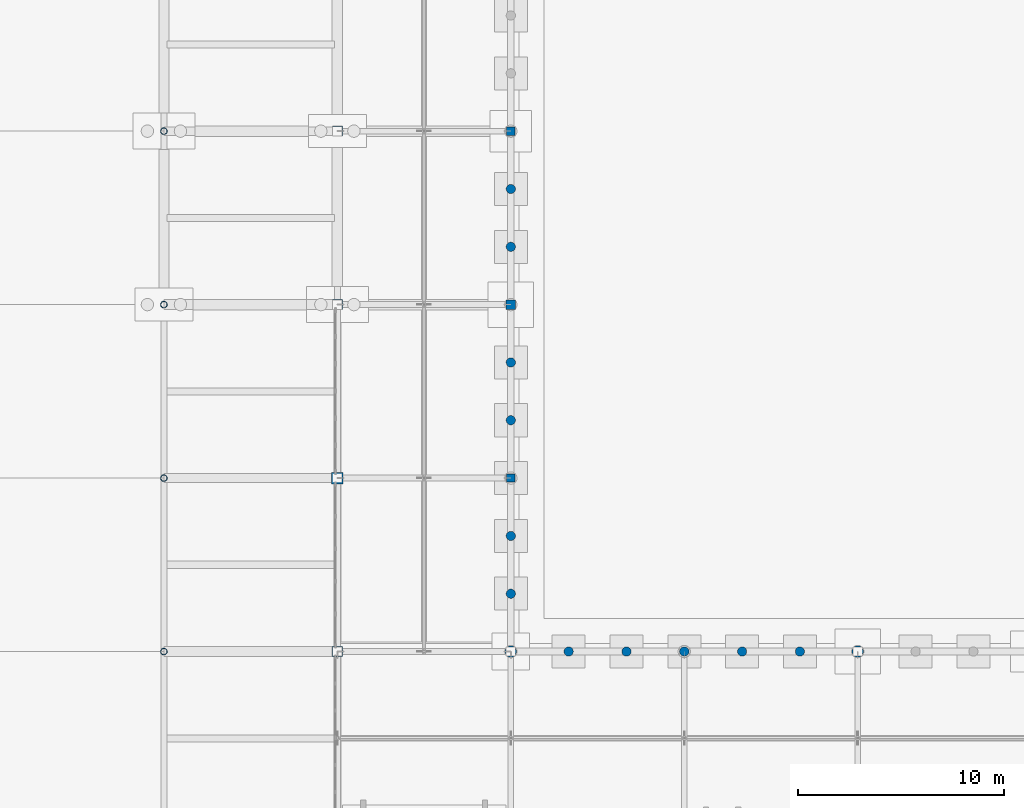
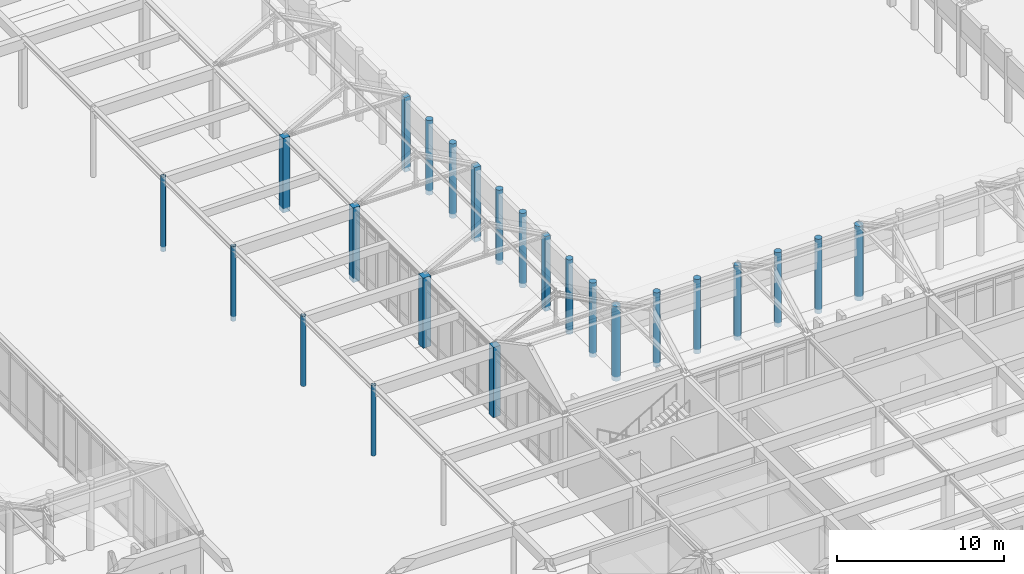
# One storey, part 14 of 143: 24 columns.
"""IFC4 building model written with IfcOpenShell, lengths in metres."""

from ifc_helpers import new_model, si_unit, direction, frame, origin, origin_2d, place, context, subcontext, project, spatial, rectangle, circle, hollow_circle, extrude, material, material_profile, profile_set, type_object, element, save


model = new_model("IFC4")

# Units and contexts
model_context = context("Model", 3, precision=1e-05, world=origin(), true_north=direction((0.0, 1.0)))
body_context = subcontext(model_context, "Body", "Model", "MODEL_VIEW")
ifc_project = project(units=[si_unit("LENGTHUNIT", "METRE"), si_unit("AREAUNIT", "SQUARE_METRE"), si_unit("VOLUMEUNIT", "CUBIC_METRE"), si_unit("PLANEANGLEUNIT", "RADIAN"), si_unit("MASSUNIT", "GRAM", prefix="KILO")], contexts=[model_context])

# Site, building, storey
site_placement = place(None, origin())
site = spatial("IfcSite", under=ifc_project, at=site_placement, CompositionType="ELEMENT")
building_placement = place(site_placement, origin())
building = spatial("IfcBuilding", under=site, at=building_placement, Name="Kveldsbrygga Polytechnic", CompositionType="ELEMENT")
storey_placement = place(building_placement, origin())
storey = spatial("IfcBuildingStorey", under=building, at=storey_placement, Name="L00", CompositionType="ELEMENT", Elevation=0.0)

# Columns
ifc_material_1 = material(Name="Concrete C45/55", Category="concrete")
ifc_material_profile_1 = material_profile(ifc_material_1, circle(Radius=0.22509765625, at=origin_2d()), Name="RC D450")
ifc_profile_set_1 = profile_set([ifc_material_profile_1], Name="Concrete C45/55")
column_type_1 = type_object("IfcColumnType", Name="COL-ARC-D450", PredefinedType="COLUMN", material=ifc_profile_set_1)
for number, where, z_axis, x_axis, name in (
    (1, (92.39990234375, 33.60009765625, -0.320068359375), (0.0, 0.0, 1.0), (1.0, 0.0, 0.0), "Column COL-L00-11-04"),
    (2, (86.800048828125, 33.60009765625, -0.320068359375), (0.0, 0.0, 1.0), (1.0, 0.0, 0.0), "Cloister Arcade Pier COL-ARC-055"),
    (3, (89.60009765625, 33.60009765625, -0.320068359375), (0.0, 0.0, 1.0), (1.0, 0.0, 0.0), "Cloister Arcade Pier COL-ARC-056"),
    (4, (95.199951171875, 33.60009765625, -0.320068359375), (0.0, 0.0, 1.0), (1.0, 0.0, 0.0), "Cloister Arcade Pier COL-ARC-059"),
    (5, (98.0, 33.60009765625, -0.320068359375), (0.0, 0.0, 1.0), (1.0, 0.0, 0.0), "Cloister Arcade Pier COL-ARC-060"),
    (6, (84.0, 36.39990234375, -0.320068359375), (0.0, 0.0, 1.0), (1.0, 0.0, 0.0), "Cloister Arcade Pier COL-ARC-071"),
    (7, (84.0, 39.199951171875, -0.320068359375), (0.0, 0.0, 1.0), (1.0, 0.0, 0.0), "Cloister Arcade Pier COL-ARC-072"),
    (8, (84.0, 44.800048828125, -0.320068359375), (0.0, 0.0, 1.0), (1.0, 0.0, 0.0), "Cloister Arcade Pier COL-ARC-075"),
    (9, (84.0, 47.60009765625, -0.320068359375), (0.0, 0.0, 1.0), (1.0, 0.0, 0.0), "Cloister Arcade Pier COL-ARC-076"),
    (10, (84.0, 53.199951171875, -0.320068359375), (0.0, 0.0, 1.0), (1.0, 0.0, 0.0), "Cloister Arcade Pier COL-ARC-079"),
    (11, (84.0, 56.0, -0.320068359375), (0.0, 0.0, 1.0), (1.0, 0.0, 0.0), "Cloister Arcade Pier COL-ARC-080"),
):
    element("IfcColumn", number, at=place(storey_placement, frame(where, z_axis=z_axis, x_axis=x_axis)), inside=storey, type_object=column_type_1, Name=name, PredefinedType="COLUMN", context=body_context, shape_type="SweptSolid", body=[
        extrude(circle(Radius=0.22509765625, at=origin_2d()), origin(), (0.0, 0.0, 1.0), 5.4599609375),
    ])
ifc_material_profile_2 = material_profile(ifc_material_1, circle(Radius=0.27490234375, at=origin_2d()), Name="RC D550")
ifc_profile_set_2 = profile_set([ifc_material_profile_2], Name="Concrete C45/55")
column_type_2 = type_object("IfcColumnType", Name="COL-ARC-D550", PredefinedType="COLUMN", material=ifc_profile_set_2)
for number, where, z_axis, x_axis, name in (
    (12, (84.0, 33.60009765625, -0.320068359375), (0.0, 0.0, 1.0), (1.0, 0.0, 0.0), "Column COL-L00-10-04"),
    (13, (100.800048828125, 33.60009765625, -0.320068359375), (0.0, 0.0, 1.0), (1.0, 0.0, 0.0), "Column COL-L00-12-04"),
):
    element("IfcColumn", number, at=place(storey_placement, frame(where, z_axis=z_axis, x_axis=x_axis)), inside=storey, type_object=column_type_2, Name=name, PredefinedType="COLUMN", context=body_context, shape_type="SweptSolid", body=[
        extrude(circle(Radius=0.27490234375, at=origin_2d()), origin(), (0.0, 0.0, 1.0), 5.4599609375),
    ])
ifc_material_profile_3 = material_profile(ifc_material_1, rectangle(XDim=0.39990234375, YDim=0.39990234375, at=origin_2d()), Name="RC 400x400")
ifc_profile_set_3 = profile_set([ifc_material_profile_3], Name="Concrete C45/55")
column_type_3 = type_object("IfcColumnType", Name="COL-RC-400", PredefinedType="COLUMN", material=ifc_profile_set_3)
for number, where, z_axis, x_axis, name in (
    (14, (84.0, 42.0, -0.320068359375), (0.0, 0.0, 1.0), (1.0, 0.0, 0.0), "Column COL-L00-10-05"),
    (15, (84.0, 58.800048828125, -0.320068359375), (0.0, 0.0, 1.0), (1.0, 0.0, 0.0), "Column COL-L00-10-07"),
):
    element("IfcColumn", number, at=place(storey_placement, frame(where, z_axis=z_axis, x_axis=x_axis)), inside=storey, type_object=column_type_3, Name=name, PredefinedType="COLUMN", context=body_context, shape_type="SweptSolid", body=[
        extrude(rectangle(XDim=0.39990234375, YDim=0.39990234375, at=origin_2d()), origin(), (0.0, 0.0, 1.0), 5.4599609375),
    ])
ifc_material_profile_4 = material_profile(ifc_material_1, rectangle(XDim=0.449951171875, YDim=0.449951171875, at=origin_2d()), Name="RC 450x450")
ifc_profile_set_4 = profile_set([ifc_material_profile_4], Name="Concrete C45/55")
column_type_4 = type_object("IfcColumnType", Name="COL-RC-450", PredefinedType="COLUMN", material=ifc_profile_set_4)
column_1_placement = place(storey_placement, frame((84.0, 50.39990234375, -0.320068359375), z_axis=(0.0, 0.0, 1.0), x_axis=(1.0, 0.0, 0.0)))
element("IfcColumn", 16, at=column_1_placement, inside=storey, type_object=column_type_4, Name="Column COL-L00-10-06", PredefinedType="COLUMN", context=body_context, shape_type="SweptSolid", body=[
    extrude(rectangle(XDim=0.449951171875, YDim=0.449951171875, at=origin_2d()), origin(), (0.0, 0.0, 1.0), 5.4599609375),
])
ifc_material_profile_5 = material_profile(ifc_material_1, rectangle(XDim=0.47998046875, YDim=0.47998046875, at=origin_2d()), Name="RC 480x480")
ifc_profile_set_5 = profile_set([ifc_material_profile_5], Name="Concrete C45/55")
column_type_5 = type_object("IfcColumnType", Name="COL-RC-480", PredefinedType="COLUMN", material=ifc_profile_set_5)
for number, where, z_axis, x_axis, name in (
    (17, (75.60009765625, 50.39990234375, -0.320068359375), (0.0, 0.0, 1.0), (1.0, 0.0, 0.0), "Column COL-L00-09-06"),
    (18, (75.60009765625, 58.800048828125, -0.320068359375), (0.0, 0.0, 1.0), (1.0, 0.0, 0.0), "Column COL-L00-09-07"),
):
    element("IfcColumn", number, at=place(storey_placement, frame(where, z_axis=z_axis, x_axis=x_axis)), inside=storey, type_object=column_type_5, Name=name, PredefinedType="COLUMN", context=body_context, shape_type="SweptSolid", body=[
        extrude(rectangle(XDim=0.47998046875, YDim=0.47998046875, at=origin_2d()), origin(), (0.0, 0.0, 1.0), 5.4599609375),
    ])
ifc_material_profile_6 = material_profile(ifc_material_1, rectangle(XDim=0.5, YDim=0.5, at=origin_2d()), Name="RC 500x500")
ifc_profile_set_6 = profile_set([ifc_material_profile_6], Name="Concrete C45/55")
column_type_6 = type_object("IfcColumnType", Name="COL-RC-500", PredefinedType="COLUMN", material=ifc_profile_set_6)
column_2_placement = place(storey_placement, frame((75.60009765625, 33.60009765625, 0.0), z_axis=(0.0, 0.0, 1.0), x_axis=(1.0, 0.0, 0.0)))
element("IfcColumn", 19, at=column_2_placement, inside=storey, type_object=column_type_6, Name="Column COL-L00-09-04", PredefinedType="COLUMN", context=body_context, shape_type="SweptSolid", body=[
    extrude(rectangle(XDim=0.5, YDim=0.5, at=origin_2d()), origin(), (0.0, 0.0, 1.0), 5.139892578125),
])
ifc_material_profile_7 = material_profile(ifc_material_1, rectangle(XDim=0.550048828125, YDim=0.550048828125, at=origin_2d()), Name="RC 550x550")
ifc_profile_set_7 = profile_set([ifc_material_profile_7], Name="Concrete C45/55")
column_type_7 = type_object("IfcColumnType", Name="COL-RC-550", PredefinedType="COLUMN", material=ifc_profile_set_7)
column_3_placement = place(storey_placement, frame((75.60009765625, 42.0, 0.0), z_axis=(0.0, 0.0, 1.0), x_axis=(1.0, 0.0, 0.0)))
element("IfcColumn", 20, at=column_3_placement, inside=storey, type_object=column_type_7, Name="Column COL-L00-09-05", PredefinedType="COLUMN", context=body_context, shape_type="SweptSolid", body=[
    extrude(rectangle(XDim=0.550048828125, YDim=0.550048828125, at=origin_2d()), origin(), (0.0, 0.0, 1.0), 5.139892578125),
])
ifc_material_2 = material(Name="Steel S355", Category="steel")
ifc_material_profile_8 = material_profile(ifc_material_2, hollow_circle(Radius=0.161865234375, WallThickness=0.01611328125, at=origin_2d()), Name="CHS 323.9x16.0")
ifc_profile_set_8 = profile_set([ifc_material_profile_8], Name="Steel S355")
column_type_8 = type_object("IfcColumnType", Name="COL-STL-CHS324", PredefinedType="COLUMN", material=ifc_profile_set_8)
for number, where, z_axis, x_axis, name in (
    (21, (67.199951171875, 33.60009765625, 0.0), (0.0, 0.0, 1.0), (1.0, 0.0, 0.0), "Column COL-L00-08-04"),
    (22, (67.199951171875, 42.0, 0.0), (0.0, 0.0, 1.0), (1.0, 0.0, 0.0), "Column COL-L00-08-05"),
):
    element("IfcColumn", number, at=place(storey_placement, frame(where, z_axis=z_axis, x_axis=x_axis)), inside=storey, type_object=column_type_8, Name=name, PredefinedType="COLUMN", context=body_context, shape_type="SweptSolid", body=[
        extrude(hollow_circle(Radius=0.161865234375, WallThickness=0.01611328125, at=origin_2d()), origin(), (0.0, 0.0, 1.0), 5.139892578125),
    ])
for number, where, z_axis, x_axis, name in (
    (23, (67.199951171875, 50.39990234375, -0.320068359375), (0.0, 0.0, 1.0), (1.0, 0.0, 0.0), "Column COL-L00-08-06"),
    (24, (67.199951171875, 58.800048828125, -0.320068359375), (0.0, 0.0, 1.0), (1.0, 0.0, 0.0), "Column COL-L00-08-07"),
):
    element("IfcColumn", number, at=place(storey_placement, frame(where, z_axis=z_axis, x_axis=x_axis)), inside=storey, type_object=column_type_8, Name=name, PredefinedType="COLUMN", context=body_context, shape_type="SweptSolid", body=[
        extrude(hollow_circle(Radius=0.161865234375, WallThickness=0.01611328125, at=origin_2d()), origin(), (0.0, 0.0, 1.0), 5.4599609375),
    ])

save(model, "model.ifc")
